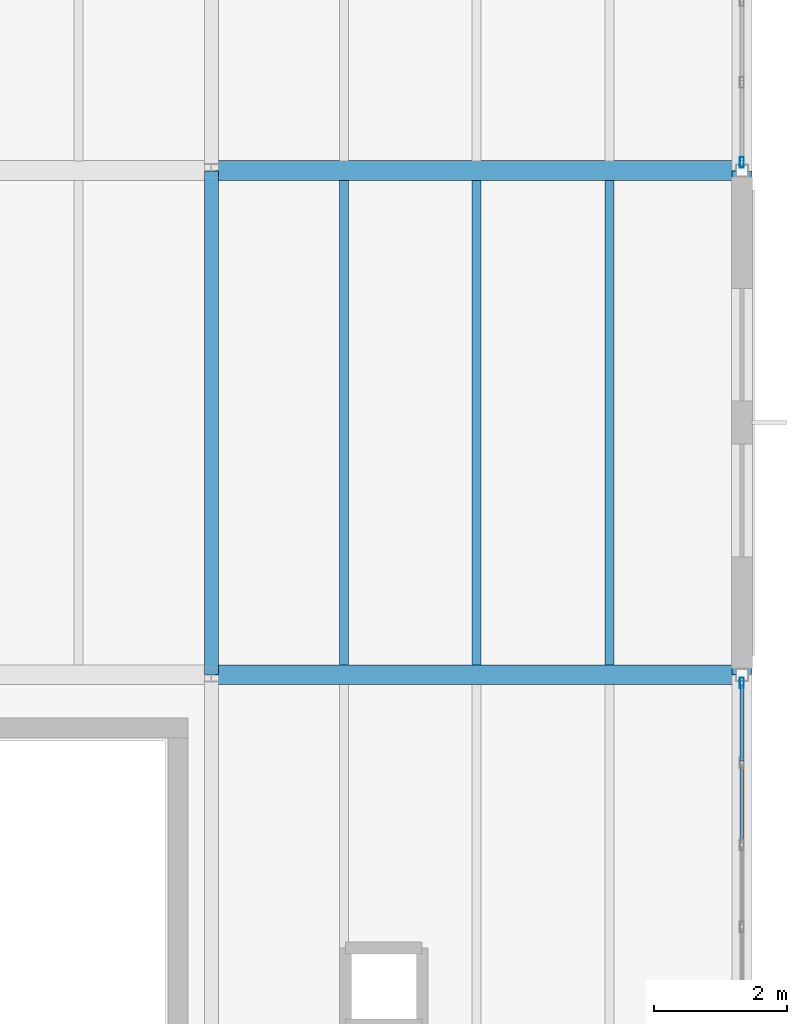
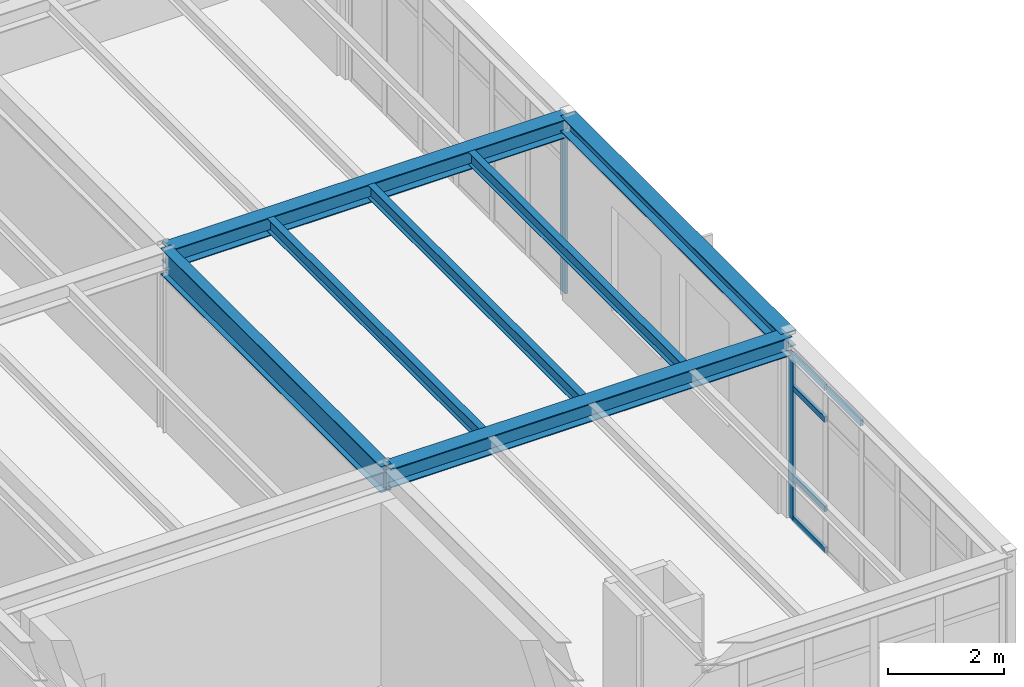
# One storey, part 32 of 65: 7 beams, 7 members, 2 elements without a shape of their own.
"""IFC4 building model written with IfcOpenShell, lengths in metres."""

from ifc_helpers import new_model, si_unit, direction, frame, origin, origin_2d, place, context, subcontext, project, spatial, hollow_rectangle, i_section, extrude, material, layer, layer_set, material_profile, profile_set, type_object, element, aggregate, save


model = new_model("IFC4")

# Units and contexts
model_context = context("Model", 3, precision=1e-05, world=origin(), true_north=direction((0.0, 1.0)))
body_context = subcontext(model_context, "Body", "Model", "MODEL_VIEW")
ifc_project = project(units=[si_unit("LENGTHUNIT", "METRE"), si_unit("AREAUNIT", "SQUARE_METRE"), si_unit("VOLUMEUNIT", "CUBIC_METRE"), si_unit("PLANEANGLEUNIT", "RADIAN"), si_unit("MASSUNIT", "GRAM", prefix="KILO")], contexts=[model_context])

# Site, building, storey
site_placement = place(None, origin())
site = spatial("IfcSite", under=ifc_project, at=site_placement, CompositionType="ELEMENT")
building_placement = place(site_placement, origin())
building = spatial("IfcBuilding", under=site, at=building_placement, Name="Montecoro Central Library", CompositionType="ELEMENT")
storey_placement = place(building_placement, frame((0.0, 0.0, 17.340087890625)))
storey = spatial("IfcBuildingStorey", under=building, at=storey_placement, Name="L04", CompositionType="ELEMENT", Elevation=17.340087890625)

# Beams
ifc_material_1 = material(Name="Steel S355", Category="steel")
ifc_material_profile_1 = material_profile(ifc_material_1, i_section(OverallWidth=0.300048828125, OverallDepth=0.389892578125, WebThickness=0.010986328125, FlangeThickness=0.01904296875, at=origin_2d()), Name="HEA 400")
ifc_profile_set_1 = profile_set([ifc_material_profile_1], Name="Steel S355")
beam_type_1 = type_object("IfcBeamType", Name="BM-G-HEA400", PredefinedType="USERDEFINED", material=ifc_profile_set_1)
for number, where, z_axis, x_axis, name in (
    (1, (165.0048828125, 12.60009765625, 3.6298828125), (1.0, 0.0, 0.0), (0.0, 1.0, 0.0), "V6-L04-BX-2122-B"),
    (2, (165.0048828125, 20.199951171875, 3.6298828125), (1.0, 0.0, 0.0), (0.0, 1.0, 0.0), "V6-L04-BX-2122-C"),
):
    element("IfcBeam", number, at=place(storey_placement, frame(where, z_axis=z_axis, x_axis=x_axis)), inside=storey, type_object=beam_type_1, Name=name, ObjectType="GIRDER", PredefinedType="USERDEFINED", context=body_context, shape_type="SweptSolid", body=[
        extrude(i_section(OverallWidth=0.300048828125, OverallDepth=0.389892578125, WebThickness=0.010986328125, FlangeThickness=0.01904296875, at=origin_2d()), origin(), (0.0, 0.0, 1.0), 7.990234375),
    ])
ifc_material_2 = material(Name="Steel S355J2", Category="steel")
ifc_material_profile_2 = material_profile(ifc_material_2, i_section(OverallWidth=0.2099609375, OverallDepth=0.550048828125, WebThickness=0.010986328125, FlangeThickness=0.01708984375, at=origin_2d()), Name="IPE 550")
ifc_profile_set_2 = profile_set([ifc_material_profile_2], Name="Steel S355J2")
beam_type_2 = type_object("IfcBeamType", Name="BM-G-IPE550", PredefinedType="USERDEFINED", material=ifc_profile_set_2)
beam_1_placement = place(storey_placement, frame((165.0, 12.60498046875, 3.5498046875), z_axis=(0.0, 1.0, 0.0), x_axis=(-1.0, 0.0, 0.0)))
element("IfcBeam", 3, at=beam_1_placement, inside=storey, type_object=beam_type_2, Name="V6-L04-BY-21-BC", ObjectType="GIRDER", PredefinedType="USERDEFINED", context=body_context, shape_type="SweptSolid", body=[
    extrude(i_section(OverallWidth=0.2099609375, OverallDepth=0.550048828125, WebThickness=0.010986328125, FlangeThickness=0.01708984375, at=origin_2d()), origin(), (0.0, 0.0, 1.0), 7.590087890625),
])
ifc_material_profile_3 = material_profile(ifc_material_1, i_section(OverallWidth=0.135009765625, OverallDepth=0.27001953125, WebThickness=0.006591796875, FlangeThickness=0.01025390625, at=origin_2d()), Name="IPE 270")
ifc_profile_set_3 = profile_set([ifc_material_profile_3], Name="Steel S355")
beam_type_3 = type_object("IfcBeamType", Name="BM-J-IPE270", PredefinedType="JOIST", material=ifc_profile_set_3)
for number, where, z_axis, x_axis, name in (
    (4, (167.0, 12.7470703125, 3.68994140625), (0.0, 1.0, 0.0), (-1.0, 0.0, 0.0), "V6-L04-JS-2122-BC-1"),
    (5, (169.0, 12.7470703125, 3.68994140625), (0.0, 1.0, 0.0), (-1.0, 0.0, 0.0), "V6-L04-JS-2122-BC-2"),
    (6, (171.0, 12.7470703125, 3.68994140625), (0.0, 1.0, 0.0), (-1.0, 0.0, 0.0), "V6-L04-JS-2122-BC-3"),
):
    element("IfcBeam", number, at=place(storey_placement, frame(where, z_axis=z_axis, x_axis=x_axis)), inside=storey, type_object=beam_type_3, Name=name, PredefinedType="JOIST", context=body_context, shape_type="SweptSolid", body=[
        extrude(i_section(OverallWidth=0.135009765625, OverallDepth=0.27001953125, WebThickness=0.006591796875, FlangeThickness=0.01025390625, at=origin_2d()), origin(), (0.0, 0.0, 1.0), 7.305908203125),
    ])
ifc_material_profile_4 = material_profile(ifc_material_1, i_section(OverallWidth=0.300048828125, OverallDepth=0.330078125, WebThickness=0.009521484375, FlangeThickness=0.0166015625, at=origin_2d()), Name="HEA 340")
ifc_profile_set_4 = profile_set([ifc_material_profile_4], Name="Steel S355")
beam_type_4 = type_object("IfcBeamType", Name="BM-SP-HEA340", PredefinedType="SPANDREL", material=ifc_profile_set_4)
beam_2_placement = place(storey_placement, frame((173.0, 12.60498046875, 3.659912109375), z_axis=(0.0, 1.0, 0.0), x_axis=(-1.0, 0.0, 0.0)))
element("IfcBeam", 7, at=beam_2_placement, inside=storey, type_object=beam_type_4, Name="V6-L04-BY-22-BC", PredefinedType="SPANDREL", context=body_context, shape_type="SweptSolid", body=[
    extrude(i_section(OverallWidth=0.300048828125, OverallDepth=0.330078125, WebThickness=0.009521484375, FlangeThickness=0.0166015625, at=origin_2d()), origin(), (0.0, 0.0, 1.0), 7.590087890625),
])

# Curtain wall, member
ifc_material_3 = material(Name="Bronze-anodised aluminium and low-E glazing", Category="aluminium")
ifc_layer = layer(ifc_material_3, 0.159912109375)
ifc_layer_set = layer_set([ifc_layer], Name="Bronze-anodised aluminium and low-E glazing")
curtain_wall_type = type_object("IfcCurtainWallType", Name="CWT-073", PredefinedType="NOTDEFINED", material=ifc_layer_set)
curtain_wall_1_placement = place(storey_placement, origin())
curtain_wall_1 = element("IfcCurtainWall", 8, at=curtain_wall_1_placement, inside=storey, type_object=curtain_wall_type, Name="V6-L04-CW-E0", PredefinedType="NOTDEFINED")
ifc_material_4 = material(Name="Bronze-anodised aluminium", Category="aluminium")
ifc_material_profile_5 = material_profile(ifc_material_4, hollow_rectangle(XDim=0.06005859375, YDim=0.159912109375, WallThickness=0.00390625, at=origin_2d()), Name="CWM 160x60x4.0")
ifc_profile_set_5 = profile_set([ifc_material_profile_5], Name="Bronze-anodised aluminium")
member_type_1 = type_object("IfcMemberType", Name="CWM-BRZ-60", PredefinedType="MULLION", material=ifc_profile_set_5)
member_1_placement = place(storey_placement, frame((173.0, 12.47705078125, 0.0), z_axis=(0.0, 0.0, 1.0), x_axis=(-1.0, 0.0, 0.0)))
member_1 = element("IfcMember", 9, at=member_1_placement, type_object=member_type_1, Name="CW-073 mullion 7", PredefinedType="MULLION", context=body_context, shape_type="SweptSolid", body=[
    extrude(hollow_rectangle(XDim=0.06005859375, YDim=0.159912109375, WallThickness=0.00390625, at=origin_2d()), origin(), (0.0, 0.0, 1.0), 3.47998046875),
])

curtain_wall_2_placement = place(storey_placement, origin())
curtain_wall_2 = element("IfcCurtainWall", 10, at=curtain_wall_2_placement, inside=storey, type_object=curtain_wall_type, Name="V6-L04-CW-E2", PredefinedType="NOTDEFINED")
member_2_placement = place(storey_placement, frame((173.0, 20.322998046875, 0.0), z_axis=(0.0, 0.0, 1.0), x_axis=(-1.0, 0.0, 0.0)))
member_2 = element("IfcMember", 11, at=member_2_placement, type_object=member_type_1, Name="CW-073 mullion 1", PredefinedType="MULLION", context=body_context, shape_type="SweptSolid", body=[
    extrude(hollow_rectangle(XDim=0.06005859375, YDim=0.159912109375, WallThickness=0.00390625, at=origin_2d()), origin(), (0.0, 0.0, 1.0), 3.47998046875),
])
aggregate(curtain_wall_2, [member_2])

# Member
ifc_material_profile_6 = material_profile(ifc_material_4, hollow_rectangle(XDim=0.06005859375, YDim=0.1201171875, WallThickness=0.00390625, at=origin_2d()), Name="CWT 120x60x4.0")
ifc_profile_set_6 = profile_set([ifc_material_profile_6], Name="Bronze-anodised aluminium")
member_type_2 = type_object("IfcMemberType", Name="CWT-BRZ-60", PredefinedType="USERDEFINED", material=ifc_profile_set_6)
member_3_placement = place(storey_placement, frame((173.0, 10.065673828125, 3.449951171875), z_axis=(0.0, 1.0, 0.0), x_axis=(-1.0, 0.0, 0.0)))
member_3 = element("IfcMember", 12, at=member_3_placement, type_object=member_type_2, Name="CW-073 transom 5.4", ObjectType="TRANSOM", PredefinedType="USERDEFINED", context=body_context, shape_type="SweptSolid", body=[
    extrude(hollow_rectangle(XDim=0.06005859375, YDim=0.1201171875, WallThickness=0.00390625, at=origin_2d()), origin(), (0.0, 0.0, 1.0), 1.17578125),
])

member_4_placement = place(storey_placement, frame((173.0, 11.30126953125, 0.030029296875), z_axis=(0.0, 1.0, 0.0), x_axis=(-1.0, 0.0, 0.0)))
member_4 = element("IfcMember", 13, at=member_4_placement, type_object=member_type_2, Name="CW-073 transom 6.1", ObjectType="TRANSOM", PredefinedType="USERDEFINED", context=body_context, shape_type="SweptSolid", body=[
    extrude(hollow_rectangle(XDim=0.06005859375, YDim=0.1201171875, WallThickness=0.00390625, at=origin_2d()), origin(), (0.0, 0.0, 1.0), 1.145751953125),
])

member_5_placement = place(storey_placement, frame((173.0, 11.30126953125, 0.89990234375), z_axis=(0.0, 1.0, 0.0), x_axis=(-1.0, 0.0, 0.0)))
member_5 = element("IfcMember", 14, at=member_5_placement, type_object=member_type_2, Name="CW-073 transom 6.2", ObjectType="TRANSOM", PredefinedType="USERDEFINED", context=body_context, shape_type="SweptSolid", body=[
    extrude(hollow_rectangle(XDim=0.06005859375, YDim=0.1201171875, WallThickness=0.00390625, at=origin_2d()), origin(), (0.0, 0.0, 1.0), 1.145751953125),
])

member_6_placement = place(storey_placement, frame((173.0, 11.30126953125, 2.780029296875), z_axis=(0.0, 1.0, 0.0), x_axis=(-1.0, 0.0, 0.0)))
member_6 = element("IfcMember", 15, at=member_6_placement, type_object=member_type_2, Name="CW-073 transom 6.3", ObjectType="TRANSOM", PredefinedType="USERDEFINED", context=body_context, shape_type="SweptSolid", body=[
    extrude(hollow_rectangle(XDim=0.06005859375, YDim=0.1201171875, WallThickness=0.00390625, at=origin_2d()), origin(), (0.0, 0.0, 1.0), 1.145751953125),
])

member_7_placement = place(storey_placement, frame((173.0, 11.30126953125, 3.449951171875), z_axis=(0.0, 1.0, 0.0), x_axis=(-1.0, 0.0, 0.0)))
member_7 = element("IfcMember", 16, at=member_7_placement, type_object=member_type_2, Name="CW-073 transom 6.4", ObjectType="TRANSOM", PredefinedType="USERDEFINED", context=body_context, shape_type="SweptSolid", body=[
    extrude(hollow_rectangle(XDim=0.06005859375, YDim=0.1201171875, WallThickness=0.00390625, at=origin_2d()), origin(), (0.0, 0.0, 1.0), 1.145751953125),
])

aggregate(curtain_wall_1, [member_1, member_3, member_4, member_5, member_6, member_7])

save(model, "model.ifc")
